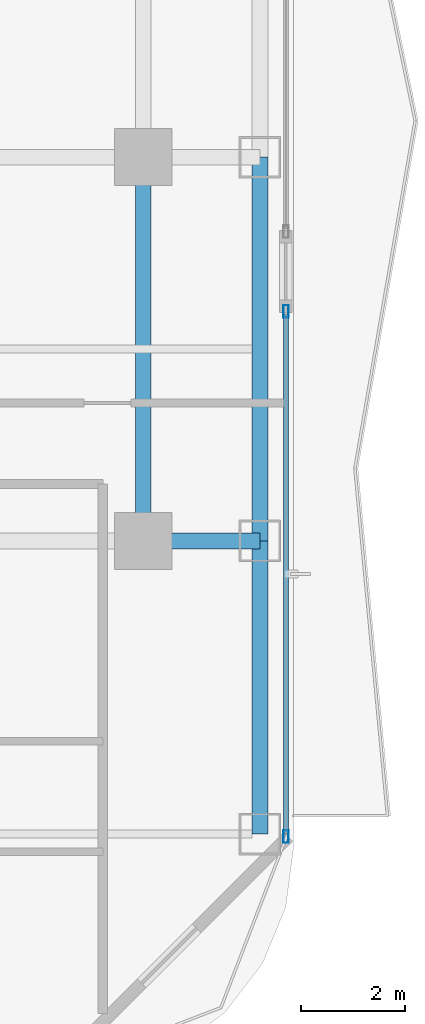
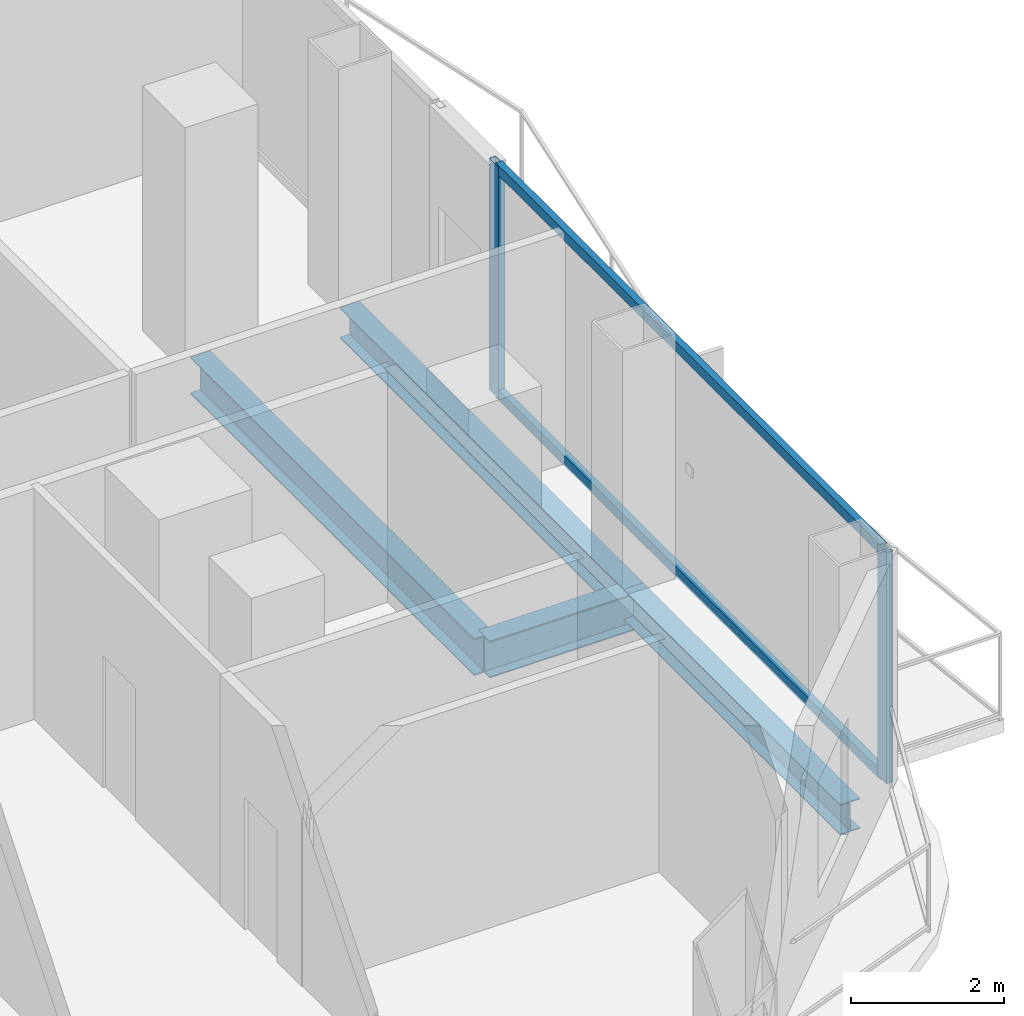
# One storey, part 10 of 30: 4 beams, 4 members, 1 element without a shape of its own.
"""IFC4 building model written with IfcOpenShell, lengths in metres."""

from ifc_helpers import new_model, si_unit, direction, frame, origin, origin_2d, place, context, subcontext, project, spatial, hollow_rectangle, i_section, extrude, material, layer, layer_set, material_profile, profile_set, type_object, element, aggregate, save


model = new_model("IFC4")

# Units and contexts
model_context = context("Model", 3, precision=1e-05, world=origin(), true_north=direction((0.0, 1.0)))
body_context = subcontext(model_context, "Body", "Model", "MODEL_VIEW")
ifc_project = project(units=[si_unit("LENGTHUNIT", "METRE"), si_unit("AREAUNIT", "SQUARE_METRE"), si_unit("VOLUMEUNIT", "CUBIC_METRE"), si_unit("PLANEANGLEUNIT", "RADIAN"), si_unit("MASSUNIT", "GRAM", prefix="KILO")], contexts=[model_context])

# Site, building, storey
site_placement = place(None, origin())
site = spatial("IfcSite", under=ifc_project, at=site_placement, CompositionType="ELEMENT")
building_placement = place(site_placement, origin())
building = spatial("IfcBuilding", under=site, at=building_placement, Name="Khorvyn Point Tower", CompositionType="ELEMENT")
storey_placement = place(building_placement, frame((0.0, 0.0, 57.89990234375)))
storey = spatial("IfcBuildingStorey", under=building, at=storey_placement, Name="L15", CompositionType="ELEMENT", Elevation=57.89990234375)

# Curtain wall, members
ifc_material_1 = material(Name="Anodised aluminium 6063-T6 and laminated Low-E glass", Category="aluminium")
ifc_layer = layer(ifc_material_1, 0.18994140625)
ifc_layer_set = layer_set([ifc_layer], Name="Stick-Built Finned Residential Curtain Wall CW-SYS-02")
curtain_wall_type = type_object("IfcCurtainWallType", Name="Stick-Built Finned Residential Curtain Wall CW-SYS-02", PredefinedType="NOTDEFINED", material=ifc_layer_set)
curtain_wall_placement = place(storey_placement, origin())
curtain_wall = element("IfcCurtainWall", 1, at=curtain_wall_placement, inside=storey, type_object=curtain_wall_type, Name="Curtain Wall", PredefinedType="NOTDEFINED")
ifc_material_2 = material(Name="Anodised aluminium 6063-T6", Category="aluminium")
ifc_material_profile_1 = material_profile(ifc_material_2, hollow_rectangle(XDim=0.10009765625, YDim=0.239990234375, WallThickness=0.0048828125, at=origin_2d()))
ifc_profile_set_1 = profile_set([ifc_material_profile_1], Name="Anodised aluminium 6063-T6 ALU-MUL-100x240")
member_type_1 = type_object("IfcMemberType", Name="Anodised Aluminium 6063-T6 Mullion ALU-MUL-100x240", PredefinedType="MULLION", material=ifc_profile_set_1)
member_1_placement = place(storey_placement, frame((22.14990234375, -10.375, 0.0), z_axis=(0.0, 0.0, 1.0), x_axis=(1.0, 0.0, 0.0)))
member_1 = element("IfcMember", 2, at=member_1_placement, type_object=member_type_1, Name="Transom", PredefinedType="MULLION", context=body_context, shape_type="SweptSolid", body=[
    extrude(hollow_rectangle(XDim=0.10009765625, YDim=0.239990234375, WallThickness=0.0048828125, at=origin_2d()), origin(), (0.0, 0.0, 1.0), 3.68017578125),
])
member_2_placement = place(storey_placement, frame((22.14990234375, -20.5, 0.0), z_axis=(0.0, 0.0, 1.0), x_axis=(1.0, 0.0, 0.0)))
member_2 = element("IfcMember", 3, at=member_2_placement, type_object=member_type_1, Name="Transom", PredefinedType="MULLION", context=body_context, shape_type="SweptSolid", body=[
    extrude(hollow_rectangle(XDim=0.10009765625, YDim=0.239990234375, WallThickness=0.0048828125, at=origin_2d()), origin(), (0.0, 0.0, 1.0), 3.68017578125),
])
ifc_material_profile_2 = material_profile(ifc_material_2, hollow_rectangle(XDim=0.10009765625, YDim=0.159912109375, WallThickness=0.00439453125, at=origin_2d()))
ifc_profile_set_2 = profile_set([ifc_material_profile_2], Name="Anodised aluminium 6063-T6 ALU-TRN-100x160")
member_type_2 = type_object("IfcMemberType", Name="Anodised Aluminium 6063-T6 Transom ALU-TRN-100x160", PredefinedType="USERDEFINED", material=ifc_profile_set_2)
member_3_placement = place(storey_placement, frame((22.14990234375, -10.425048828125, 0.050048828125), z_axis=(0.0, -1.0, 0.0), x_axis=(1.0, 0.0, 0.0)))
member_3 = element("IfcMember", 4, at=member_3_placement, type_object=member_type_2, Name="Transom", ObjectType="TRANSOM", PredefinedType="USERDEFINED", context=body_context, shape_type="SweptSolid", body=[
    extrude(hollow_rectangle(XDim=0.10009765625, YDim=0.159912109375, WallThickness=0.00439453125, at=origin_2d()), origin(), (0.0, 0.0, 1.0), 10.02490234375),
])
member_4_placement = place(storey_placement, frame((22.14990234375, -10.425048828125, 3.630126953125), z_axis=(0.0, -1.0, 0.0), x_axis=(1.0, 0.0, 0.0)))
member_4 = element("IfcMember", 5, at=member_4_placement, type_object=member_type_2, Name="Transom", ObjectType="TRANSOM", PredefinedType="USERDEFINED", context=body_context, shape_type="SweptSolid", body=[
    extrude(hollow_rectangle(XDim=0.10009765625, YDim=0.159912109375, WallThickness=0.00439453125, at=origin_2d()), origin(), (0.0, 0.0, 1.0), 10.02490234375),
])
aggregate(curtain_wall, [member_1, member_2, member_3, member_4])

# Beams
ifc_material_3 = material(Name="Steel S355", Category="steel")
ifc_material_profile_3 = material_profile(ifc_material_3, i_section(OverallWidth=0.300048828125, OverallDepth=0.587890625, WebThickness=0.011962890625, FlangeThickness=0.02001953125, at=origin_2d()))
ifc_profile_set_3 = profile_set([ifc_material_profile_3], Name="Steel S355 H588x300x12x20")
beam_type_1 = type_object("IfcBeamType", Name="Steel S355 Beam H588x300x12x20", PredefinedType="BEAM", material=ifc_profile_set_3)
beam_1_placement = place(storey_placement, frame((19.39990234375, -14.800048828125, -0.513916015625), z_axis=(1.0, 0.0, 0.0), x_axis=(0.0, 1.0, 0.0)))
element("IfcBeam", 6, at=beam_1_placement, inside=storey, type_object=beam_type_1, Name="Beam", PredefinedType="BEAM", context=body_context, shape_type="SweptSolid", body=[
    extrude(i_section(OverallWidth=0.300048828125, OverallDepth=0.587890625, WebThickness=0.011962890625, FlangeThickness=0.02001953125, at=origin_2d()), origin(), (0.0, 0.0, 1.0), 2.25),
])
beam_2_placement = place(storey_placement, frame((19.39990234375, -14.800048828125, -0.513916015625), z_axis=(0.0, 1.0, 0.0), x_axis=(-1.0, 0.0, 0.0)))
element("IfcBeam", 7, at=beam_2_placement, inside=storey, type_object=beam_type_1, Name="Beam", PredefinedType="BEAM", context=body_context, shape_type="SweptSolid", body=[
    extrude(i_section(OverallWidth=0.300048828125, OverallDepth=0.587890625, WebThickness=0.011962890625, FlangeThickness=0.02001953125, at=origin_2d()), origin(), (0.0, 0.0, 1.0), 7.400146484375),
])
ifc_material_profile_4 = material_profile(ifc_material_3, i_section(OverallWidth=0.300048828125, OverallDepth=0.488037109375, WebThickness=0.010986328125, FlangeThickness=0.01806640625, at=origin_2d()))
ifc_profile_set_4 = profile_set([ifc_material_profile_4], Name="Steel S355 H488x300x11x18")
beam_type_2 = type_object("IfcBeamType", Name="Steel S355 Spandrel H488x300x11x18", PredefinedType="SPANDREL", material=ifc_profile_set_4)
beam_3_placement = place(storey_placement, frame((21.64990234375, -20.449951171875, -0.4638671875), z_axis=(0.0, 1.0, 0.0), x_axis=(-1.0, 0.0, 0.0)))
element("IfcBeam", 8, at=beam_3_placement, inside=storey, type_object=beam_type_2, Name="Beam", PredefinedType="SPANDREL", context=body_context, shape_type="SweptSolid", body=[
    extrude(i_section(OverallWidth=0.300048828125, OverallDepth=0.488037109375, WebThickness=0.010986328125, FlangeThickness=0.01806640625, at=origin_2d()), origin(), (0.0, 0.0, 1.0), 5.64990234375),
])
beam_4_placement = place(storey_placement, frame((21.64990234375, -14.800048828125, -0.4638671875), z_axis=(0.0, 1.0, 0.0), x_axis=(-1.0, 0.0, 0.0)))
element("IfcBeam", 9, at=beam_4_placement, inside=storey, type_object=beam_type_2, Name="Beam", PredefinedType="SPANDREL", context=body_context, shape_type="SweptSolid", body=[
    extrude(i_section(OverallWidth=0.300048828125, OverallDepth=0.488037109375, WebThickness=0.010986328125, FlangeThickness=0.01806640625, at=origin_2d()), origin(), (0.0, 0.0, 1.0), 7.400146484375),
])

save(model, "model.ifc")
